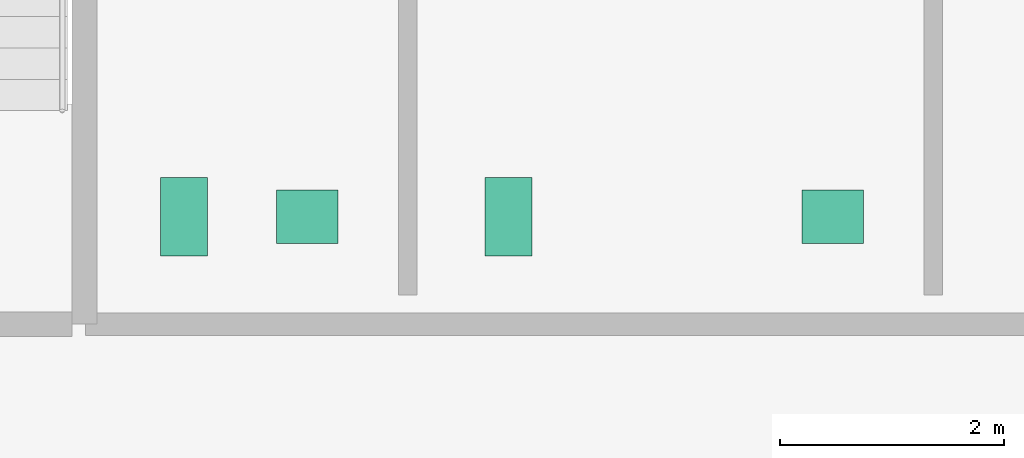
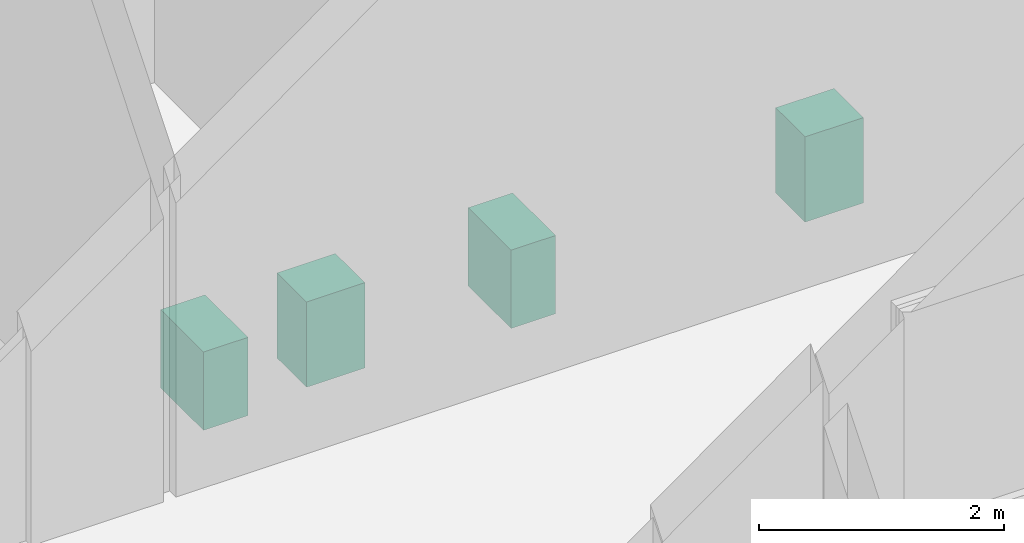
# One storey, part 11 of 11: 4 sanitary terminals.
"""IFC4 building model written with IfcOpenShell, lengths in metres."""

import ifcopenshell
import ifcopenshell.guid

model = None  # the IFC model being written
_history = None  # IfcOwnerHistory: only IFC2X3 demands one
_inside = {}  # id of a spatial element -> (the spatial element, [elements in it])
_under = {}  # id of a project, library or spatial element -> (it, [spatial elements below it])
_declared = {}  # id of a project -> (the project, [libraries it declares])
_typed = {}  # id of a type object -> (the type object, [elements of that type])
_made_of = {}  # id of a material, layer set ... -> (it, [elements and type objects made of it])


def new_model(schema):
    """Start an empty IFC model of exactly this schema.

    Asked for "IFC4X3", IfcOpenShell would pick the latest addendum, in which some entities
    have other attributes; the version numbers below select the first issue.
    IFC2X3 requires an IfcOwnerHistory on every rooted entity: one is made here for all.
    """
    global model, _history
    if schema == "IFC4X3":
        model = ifcopenshell.file(schema_version=(4, 3, 0, 0))
    else:
        model = ifcopenshell.file(schema=schema)
    _inside.clear()
    _under.clear()
    _declared.clear()
    _typed.clear()
    _made_of.clear()
    _history = None
    if model.schema == "IFC2X3":
        org = make("IfcOrganization", Name="unknown")
        user = make(
            "IfcPersonAndOrganization",
            ThePerson=make("IfcPerson", FamilyName="unknown"),
            TheOrganization=org,
        )
        app = make(
            "IfcApplication",
            ApplicationDeveloper=org,
            Version="unknown",
            ApplicationFullName="unknown",
            ApplicationIdentifier="unknown",
        )
        _history = make(
            "IfcOwnerHistory",
            OwningUser=user,
            OwningApplication=app,
            ChangeAction="ADDED",
            CreationDate=0,
        )
    return model


def make(cls, **values):
    """One entity of the class cls with the attributes given. An attribute that is None is left unset."""
    return model.create_entity(
        cls, **{name: value for name, value in values.items() if value is not None}
    )


def rooted(cls, **values):
    """An entity with a GlobalId (a new one), such as an element, a storey or a relation."""
    return make(cls, GlobalId=ifcopenshell.guid.new(), OwnerHistory=_history, **values)


def si_unit(unit_type, name, prefix=None):
    """IfcSIUnit, for example si_unit("LENGTHUNIT", "METRE", prefix="MILLI")."""
    return make("IfcSIUnit", UnitType=unit_type, Prefix=prefix, Name=name)


def assignment(units):
    """IfcUnitAssignment: the units of a project."""
    return None if units is None else make("IfcUnitAssignment", Units=units)


def point(xyz):
    """IfcCartesianPoint."""
    return None if xyz is None else make("IfcCartesianPoint", Coordinates=xyz)


def direction(xyz):
    """IfcDirection."""
    return None if xyz is None else make("IfcDirection", DirectionRatios=xyz)


def frame(location, z_axis=None, x_axis=None):
    """IfcAxis2Placement3D, a coordinate frame: its origin and axes. An axis left out is left unset."""
    return make(
        "IfcAxis2Placement3D",
        Location=point(location),
        Axis=direction(z_axis),
        RefDirection=direction(x_axis),
    )


def frame_2d(location, x_axis=None):
    """IfcAxis2Placement2D, a coordinate frame in the plane: its origin and x axis."""
    return make(
        "IfcAxis2Placement2D", Location=point(location), RefDirection=direction(x_axis)
    )


def origin():
    """The frame at (0, 0, 0) with its axes left unset."""
    return frame((0.0, 0.0, 0.0))


def origin_2d():
    """The frame at (0, 0) in the plane with its x axis left unset."""
    return frame_2d((0.0, 0.0))


def place(relative_to, where):
    """IfcLocalPlacement: puts the frame where relative to a parent placement (None: the world)."""
    return make(
        "IfcLocalPlacement", PlacementRelTo=relative_to, RelativePlacement=where
    )


def context(
    kind, dimensions, precision=None, world=None, true_north=None, identifier=None
):
    """IfcGeometricRepresentationContext, for example the 3D "Model" context."""
    return make(
        "IfcGeometricRepresentationContext",
        ContextIdentifier=identifier,
        ContextType=kind,
        CoordinateSpaceDimension=dimensions,
        Precision=precision,
        WorldCoordinateSystem=world,
        TrueNorth=true_north,
    )


def subcontext(parent, identifier, kind, view, scale=None):
    """IfcGeometricRepresentationSubContext, for example "Body" below "Model"."""
    return make(
        "IfcGeometricRepresentationSubContext",
        ContextIdentifier=identifier,
        ContextType=kind,
        ParentContext=parent,
        TargetScale=scale,
        TargetView=view,
    )


def project(units=None, contexts=None):
    """IfcProject with its units and contexts."""
    return rooted(
        "IfcProject",
        Name="project",
        RepresentationContexts=contexts,
        UnitsInContext=assignment(units),
    )


def spatial(cls, under=None, at=None, **own):
    """A site, building, storey or space (cls), placed at a placement, below another one or the project."""
    s = rooted(cls, ObjectPlacement=at, **own)
    if under is not None:
        _under.setdefault(under.id(), (under, []))[1].append(s)
    return s


def profile(cls, at=None, kind="AREA", **sizes):
    """A parametric profile (cls). Its sizes go by their IFC names, for example OverallWidth=200.0."""
    return make(cls, ProfileType=kind, Position=at, **sizes)


def rectangle(**sizes):
    """IfcRectangleProfileDef."""
    return profile("IfcRectangleProfileDef", **sizes)


def extrude(swept, where, along, depth):
    """IfcExtrudedAreaSolid: the profile swept, set in the frame where, extruded along a direction by depth."""
    return make(
        "IfcExtrudedAreaSolid",
        SweptArea=swept,
        Position=where,
        ExtrudedDirection=direction(along),
        Depth=depth,
    )


def shape(context_of_items, identifier, shape_type, items):
    """IfcShapeRepresentation: the items that make up one representation, for example the "Body"."""
    return make(
        "IfcShapeRepresentation",
        ContextOfItems=context_of_items,
        RepresentationIdentifier=identifier,
        RepresentationType=shape_type,
        Items=items,
    )


def material(Name=None, Category=None):
    """IfcMaterial."""
    return make("IfcMaterial", Name=Name, Category=Category)


def made_of(thing, what):
    """Note that an element or type object is made of a material, layer set ...; save() writes the relation."""
    if what is not None:
        _made_of.setdefault(what.id(), (what, []))[1].append(thing)
    return thing


def type_object(cls, material=None, **own):
    """A type object (cls), such as IfcWallType, which elements share."""
    return made_of(rooted(cls, **own), material)


def element(
    cls,
    number,
    at=None,
    inside=None,
    cuts=None,
    type_object=None,
    material=None,
    context=None,
    identifier="Body",
    shape_type=None,
    held_by="IfcProductDefinitionShape",
    body=None,
    shapes=None,
    **own,
):
    """One element of the class cls, such as IfcWall. Its Tag is "e" and its number.

    at: its placement. inside: the storey or other place that contains it. cuts: it is an
    opening in that element (IfcRelVoidsElement). A single representation is given by context,
    identifier, shape_type and body (its items); several are given by shapes. held_by: the class
    of the entity that holds the representations. save() writes the other relations.
    """
    e = rooted(cls, Tag="e%d" % number, ObjectPlacement=at, **own)
    if body is not None:
        shapes = [shape(context, identifier, shape_type, body)]
    if shapes is not None:
        e.Representation = make(held_by, Representations=shapes)
    if inside is not None:
        _inside.setdefault(inside.id(), (inside, []))[1].append(e)
    if cuts is not None:
        rooted(
            "IfcRelVoidsElement", RelatingBuildingElement=cuts, RelatedOpeningElement=e
        )
    if type_object is not None:
        _typed.setdefault(type_object.id(), (type_object, []))[1].append(e)
    return made_of(e, material)


def aggregate(whole, parts):
    """IfcRelAggregates: a whole, such as a stair, and the parts it consists of."""
    return rooted("IfcRelAggregates", RelatingObject=whole, RelatedObjects=parts)


def save(model, path):
    """Write the relations noted so far, then the file.

    IfcRelAggregates (storeys below a building ...), IfcRelContainedInSpatialStructure (elements
    in a storey), IfcRelDefinesByType, IfcRelAssociatesMaterial and IfcRelDeclares: one each for
    every whole, place, type object, material and project.
    """
    for whole, parts in _under.values():
        aggregate(whole, parts)
    for where, things in _inside.values():
        rooted(
            "IfcRelContainedInSpatialStructure",
            RelatedElements=things,
            RelatingStructure=where,
        )
    for kind, things in _typed.values():
        rooted("IfcRelDefinesByType", RelatedObjects=things, RelatingType=kind)
    for what, things in _made_of.values():
        rooted("IfcRelAssociatesMaterial", RelatedObjects=things, RelatingMaterial=what)
    for by, libraries in _declared.values():
        rooted("IfcRelDeclares", RelatingContext=by, RelatedDefinitions=libraries)
    model.write(path)


model = new_model("IFC4")

# Units and contexts
model_context = context("Model", 3, precision=1e-05, world=origin(), true_north=direction((0.0, 1.0)))
body_context = subcontext(model_context, "Body", "Model", "MODEL_VIEW")
ifc_project = project(units=[si_unit("LENGTHUNIT", "METRE"), si_unit("AREAUNIT", "SQUARE_METRE"), si_unit("VOLUMEUNIT", "CUBIC_METRE"), si_unit("PLANEANGLEUNIT", "RADIAN"), si_unit("MASSUNIT", "GRAM", prefix="KILO")], contexts=[model_context])

# Site, building, storey
site_placement = place(None, origin())
site = spatial("IfcSite", under=ifc_project, at=site_placement, CompositionType="ELEMENT")
building_placement = place(site_placement, origin())
building = spatial("IfcBuilding", under=site, at=building_placement, Name="Norrvale University Quadrangle", CompositionType="ELEMENT")
storey_placement = place(building_placement, frame((0.0, 0.0, 261.0)))
storey = spatial("IfcBuildingStorey", under=building, at=storey_placement, Name="L66", CompositionType="ELEMENT", Elevation=261.0)

# Sanitary terminals
ifc_material = material(Name="Vitreous China Sanitaryware")
sanitary_terminal_type_1 = type_object("IfcSanitaryTerminalType", Name="Sanitary Wash Basin", PredefinedType="WASHHANDBASIN", material=ifc_material)
for number, where, z_axis, x_axis, name in (
    (1, (8.300048828125, 41.10009765625, 0.0), (0.0, 0.0, 1.0), (1.0, 0.0, 0.0), "Accessible Countertop Washbasin L66-1"),
    (2, (13.0, 41.10009765625, 0.0), (0.0, 0.0, 1.0), (1.0, 0.0, 0.0), "Accessible Countertop Washbasin L66-2"),
):
    element("IfcSanitaryTerminal", number, at=place(storey_placement, frame(where, z_axis=z_axis, x_axis=x_axis)), inside=storey, type_object=sanitary_terminal_type_1, Name=name, PredefinedType="WASHHANDBASIN", context=body_context, shape_type="SweptSolid", body=[
        extrude(rectangle(XDim=0.550048828125, YDim=0.47998046875, at=origin_2d()), origin(), (0.0, 0.0, 1.0), 0.85009765625),
    ])
sanitary_terminal_type_2 = type_object("IfcSanitaryTerminalType", Name="Sanitary Water Closet", PredefinedType="TOILETPAN", material=ifc_material)
for number, where, z_axis, x_axis, name in (
    (3, (7.199951171875, 41.10009765625, 0.0), (0.0, 0.0, 1.0), (1.0, 0.0, 0.0), "Wall-Hung Water Closet L66-1"),
    (4, (10.10009765625, 41.10009765625, 0.0), (0.0, 0.0, 1.0), (1.0, 0.0, 0.0), "Wall-Hung Water Closet L66-2"),
):
    element("IfcSanitaryTerminal", number, at=place(storey_placement, frame(where, z_axis=z_axis, x_axis=x_axis)), inside=storey, type_object=sanitary_terminal_type_2, Name=name, PredefinedType="TOILETPAN", context=body_context, shape_type="SweptSolid", body=[
        extrude(rectangle(XDim=0.419921875, YDim=0.699951171875, at=origin_2d()), origin(), (0.0, 0.0, 1.0), 0.780029296875),
    ])

save(model, "model.ifc")
